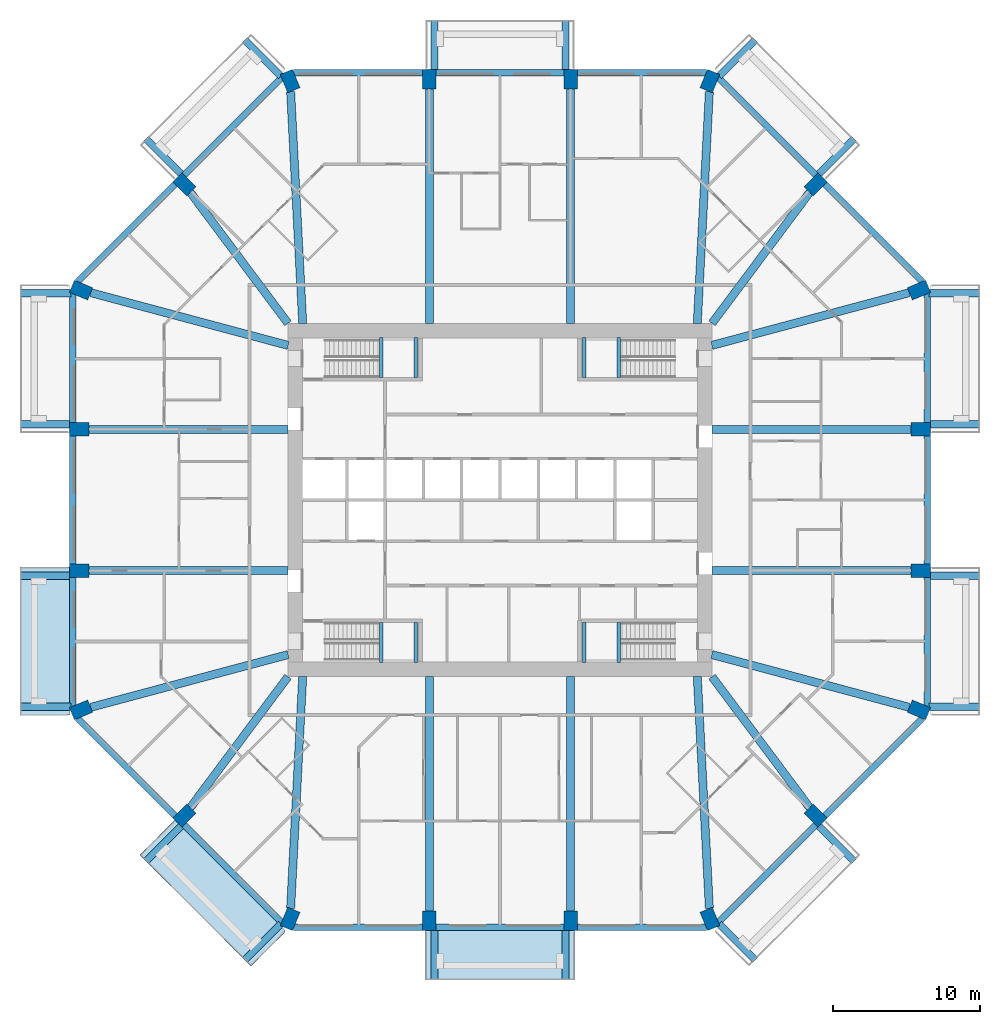
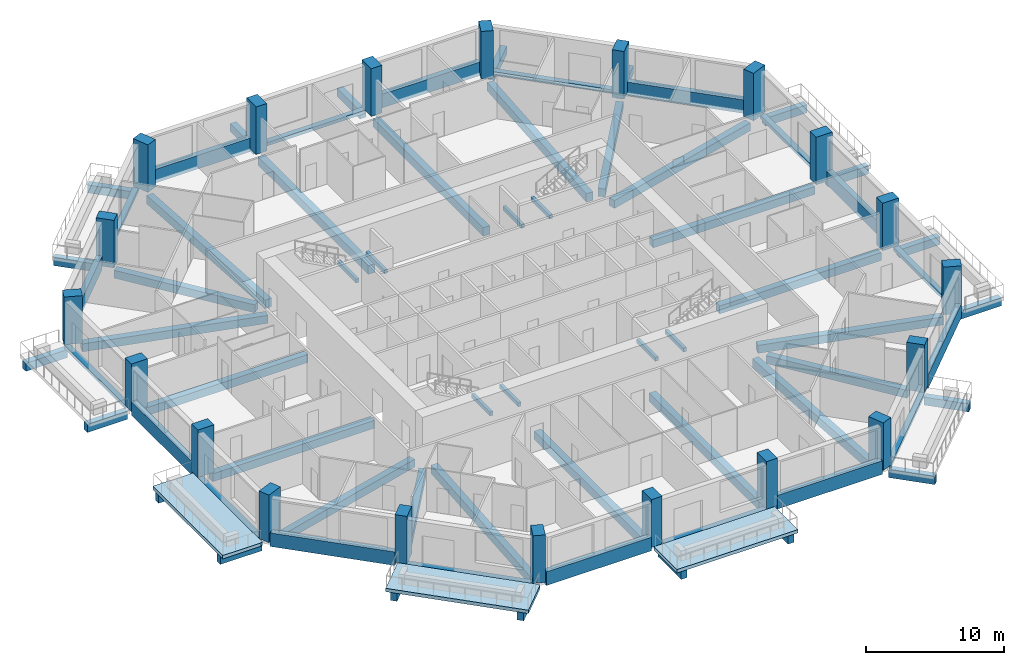
# One storey, part 1 of 13: 68 beams, 20 columns, 3 slabs.
"""IFC4 building model written with IfcOpenShell, lengths in metres."""

from ifc_helpers import new_model, si_unit, direction, frame, origin, origin_2d, place, context, subcontext, project, spatial, polyline, rectangle, outline, extrude, material, layer, layer_set, material_profile, profile_set, type_object, element, save


model = new_model("IFC4")

# Units and contexts
model_context = context("Model", 3, precision=1e-05, world=origin(), true_north=direction((0.0, 1.0)))
body_context = subcontext(model_context, "Body", "Model", "MODEL_VIEW")
ifc_project = project(units=[si_unit("LENGTHUNIT", "METRE"), si_unit("AREAUNIT", "SQUARE_METRE"), si_unit("VOLUMEUNIT", "CUBIC_METRE"), si_unit("PLANEANGLEUNIT", "RADIAN"), si_unit("MASSUNIT", "GRAM", prefix="KILO")], contexts=[model_context])

# Site, building, storey
site_placement = place(None, origin())
site = spatial("IfcSite", under=ifc_project, at=site_placement, CompositionType="ELEMENT")
building_placement = place(site_placement, origin())
building = spatial("IfcBuilding", under=site, at=building_placement, Name="Msitu Wima Residences", CompositionType="ELEMENT")
storey_placement = place(building_placement, frame((0.0, 0.0, 92.699951171875)))
storey = spatial("IfcBuildingStorey", under=building, at=storey_placement, Name="L21", CompositionType="ELEMENT", Elevation=92.699951171875)

# Columns
ifc_material_1 = material(Name="Concrete C80/95", Category="concrete")
ifc_material_profile_1 = material_profile(ifc_material_1, rectangle(XDim=0.89990234375, YDim=1.35009765625, at=origin_2d()), Name="RC 900x1350")
ifc_profile_set_1 = profile_set([ifc_material_profile_1], Name="Concrete C80/95")
column_type = type_object("IfcColumnType", Name="Column RC 900x1350 Concrete C80/95", PredefinedType="COLUMN", material=ifc_profile_set_1)
for number, where, z_axis, x_axis, name in (
    (1, (28.4541015625, -14.2568359375, 0.0), (0.0, 0.0, 1.0), (0.382683496864, 0.923879505795, 0.0), "Column L21 C-E0"),
    (2, (28.574951171875, -4.800048828125, 0.0), (0.0, 0.0, 1.0), (0.0, 1.0, 0.0), "Column L21 C-E1"),
    (3, (28.574951171875, 4.800048828125, 0.0), (0.0, 0.0, 1.0), (0.0, 1.0, 0.0), "Column L21 C-E2"),
    (4, (28.4541015625, 14.2568359375, 0.0), (0.0, 0.0, 1.0), (-0.382683496864, 0.923879505795, 0.0), "Column L21 C-NE0"),
    (5, (21.44091796875, 21.44091796875, 0.0), (0.0, 0.0, 1.0), (-0.707106781187, 0.707106781187, 0.0), "Column L21 C-NE1"),
    (6, (14.2568359375, 28.4541015625, 0.0), (0.0, 0.0, 1.0), (-0.923879505795, 0.382683496864, 0.0), "Column L21 C-N0"),
    (7, (4.800048828125, 28.574951171875, 0.0), (0.0, 0.0, 1.0), (-1.0, 0.0, 0.0), "Column L21 C-N1"),
    (8, (-4.800048828125, 28.574951171875, 0.0), (0.0, 0.0, 1.0), (-1.0, 0.0, 0.0), "Column L21 C-N2"),
    (9, (-14.2568359375, 28.4541015625, 0.0), (0.0, 0.0, 1.0), (-0.923879505795, -0.382683496864, 0.0), "Column L21 C-NW0"),
    (10, (-21.44091796875, 21.44091796875, 0.0), (0.0, 0.0, 1.0), (-0.707106781187, -0.707106781187, 0.0), "Column L21 C-NW1"),
    (11, (-28.4541015625, 14.2568359375, 0.0), (0.0, 0.0, 1.0), (-0.382683496864, -0.923879505795, 0.0), "Column L21 C-W0"),
    (12, (-28.574951171875, 4.800048828125, 0.0), (0.0, 0.0, 1.0), (0.0, -1.0, 0.0), "Column L21 C-W1"),
    (13, (-28.574951171875, -4.800048828125, 0.0), (0.0, 0.0, 1.0), (0.0, -1.0, 0.0), "Column L21 C-W2"),
    (14, (-28.4541015625, -14.2568359375, 0.0), (0.0, 0.0, 1.0), (0.382683496864, -0.923879505795, 0.0), "Column L21 C-SW0"),
    (15, (-21.44091796875, -21.44091796875, 0.0), (0.0, 0.0, 1.0), (0.707106781187, -0.707106781187, 0.0), "Column L21 C-SW1"),
    (16, (-14.2568359375, -28.4541015625, 0.0), (0.0, 0.0, 1.0), (0.923879505795, -0.382683496864, 0.0), "Column L21 C-S0"),
    (17, (-4.800048828125, -28.574951171875, 0.0), (0.0, 0.0, 1.0), (1.0, 0.0, 0.0), "Column L21 C-S1"),
    (18, (4.800048828125, -28.574951171875, 0.0), (0.0, 0.0, 1.0), (1.0, 0.0, 0.0), "Column L21 C-S2"),
    (19, (14.2568359375, -28.4541015625, 0.0), (0.0, 0.0, 1.0), (0.923879505795, 0.382683496864, 0.0), "Column L21 C-SE0"),
    (20, (21.44091796875, -21.44091796875, 0.0), (0.0, 0.0, 1.0), (0.707106781187, 0.707106781187, 0.0), "Column L21 C-SE1"),
):
    element("IfcColumn", number, at=place(storey_placement, frame(where, z_axis=z_axis, x_axis=x_axis)), inside=storey, type_object=column_type, Name=name, PredefinedType="COLUMN", context=body_context, shape_type="SweptSolid", body=[
        extrude(rectangle(XDim=0.89990234375, YDim=1.35009765625, at=origin_2d()), origin(), (0.0, 0.0, 1.0), 4.199951171875),
    ])

# Beams
ifc_material_2 = material(Name="Concrete C50/60", Category="concrete")
ifc_material_profile_2 = material_profile(ifc_material_2, rectangle(XDim=0.550048828125, YDim=0.699951171875, at=origin_2d()), Name="RC 550x700")
ifc_profile_set_2 = profile_set([ifc_material_profile_2], Name="Concrete C50/60")
beam_type_1 = type_object("IfcBeamType", Name="Beam RC 550x700 Concrete C50/60", PredefinedType="BEAM", material=ifc_profile_set_2)
beam_1_placement = place(storey_placement, frame((27.79638671875, -14.080810546875, -0.599853515625), z_axis=(-0.966081778408, 0.258236320891, 0.0), x_axis=(-0.258236320891, -0.966081778408, 0.0)))
element("IfcBeam", 21, at=beam_1_placement, inside=storey, type_object=beam_type_1, Name="Beam L21 C-E0", PredefinedType="BEAM", context=body_context, shape_type="SweptSolid", body=[
    extrude(rectangle(XDim=0.550048828125, YDim=0.699951171875, at=origin_2d()), origin(), (0.0, 0.0, 1.0), 13.878662109375),
])
for number, where, z_axis, x_axis, name in (
    (22, (27.89990234375, -4.800048828125, -0.599853515625), (-1.0, 0.0, 0.0), (0.0, -1.0, 0.0), "Beam L21 C-E1"),
    (23, (27.89990234375, 4.800048828125, -0.599853515625), (-1.0, 0.0, 0.0), (0.0, -1.0, 0.0), "Beam L21 C-E2"),
):
    element("IfcBeam", number, at=place(storey_placement, frame(where, z_axis=z_axis, x_axis=x_axis)), inside=storey, type_object=beam_type_1, Name=name, PredefinedType="BEAM", context=body_context, shape_type="SweptSolid", body=[
        extrude(rectangle(XDim=0.550048828125, YDim=0.699951171875, at=origin_2d()), origin(), (0.0, 0.0, 1.0), 13.5),
    ])
beam_2_placement = place(storey_placement, frame((27.79638671875, 14.080810546875, -0.599853515625), z_axis=(-0.966081778408, -0.258236320891, 0.0), x_axis=(0.258236320891, -0.966081778408, 0.0)))
element("IfcBeam", 24, at=beam_2_placement, inside=storey, type_object=beam_type_1, Name="Beam L21 C-NE0", PredefinedType="BEAM", context=body_context, shape_type="SweptSolid", body=[
    extrude(rectangle(XDim=0.550048828125, YDim=0.699951171875, at=origin_2d()), origin(), (0.0, 0.0, 1.0), 13.878662109375),
])
for number, where, z_axis, x_axis, name in (
    (25, (21.033203125, 20.89404296875, -0.599853515625), (-0.597850242031, -0.801607814398, 0.0), (0.801607814398, -0.597850242031, 0.0), "Beam L21 C-NE1"),
    (26, (-21.033203125, 20.89404296875, -0.599853515625), (0.597850242031, -0.801607814398, 0.0), (0.801607814398, 0.597850242031, 0.0), "Beam L21 C-NW1"),
):
    element("IfcBeam", number, at=place(storey_placement, frame(where, z_axis=z_axis, x_axis=x_axis)), inside=storey, type_object=beam_type_1, Name=name, PredefinedType="BEAM", context=body_context, shape_type="SweptSolid", body=[
        extrude(rectangle(XDim=0.550048828125, YDim=0.699951171875, at=origin_2d()), origin(), (0.0, 0.0, 1.0), 11.09521484375),
    ])
beam_3_placement = place(storey_placement, frame((-27.79638671875, 14.080810546875, -0.599853515625), z_axis=(0.966081778408, -0.258236320891, 0.0), x_axis=(0.258236320891, 0.966081778408, 0.0)))
element("IfcBeam", 27, at=beam_3_placement, inside=storey, type_object=beam_type_1, Name="Beam L21 C-W0", PredefinedType="BEAM", context=body_context, shape_type="SweptSolid", body=[
    extrude(rectangle(XDim=0.550048828125, YDim=0.699951171875, at=origin_2d()), origin(), (0.0, 0.0, 1.0), 13.878662109375),
])
for number, where, z_axis, x_axis, name in (
    (28, (-27.89990234375, 4.800048828125, -0.599853515625), (1.0, 0.0, 0.0), (0.0, 1.0, 0.0), "Beam L21 C-W1"),
    (29, (-27.89990234375, -4.800048828125, -0.599853515625), (1.0, 0.0, 0.0), (0.0, 1.0, 0.0), "Beam L21 C-W2"),
):
    element("IfcBeam", number, at=place(storey_placement, frame(where, z_axis=z_axis, x_axis=x_axis)), inside=storey, type_object=beam_type_1, Name=name, PredefinedType="BEAM", context=body_context, shape_type="SweptSolid", body=[
        extrude(rectangle(XDim=0.550048828125, YDim=0.699951171875, at=origin_2d()), origin(), (0.0, 0.0, 1.0), 13.5),
    ])
beam_4_placement = place(storey_placement, frame((-27.79638671875, -14.080810546875, -0.599853515625), z_axis=(0.966081778408, 0.258236320891, 0.0), x_axis=(-0.258236320891, 0.966081778408, 0.0)))
element("IfcBeam", 30, at=beam_4_placement, inside=storey, type_object=beam_type_1, Name="Beam L21 C-SW0", PredefinedType="BEAM", context=body_context, shape_type="SweptSolid", body=[
    extrude(rectangle(XDim=0.550048828125, YDim=0.699951171875, at=origin_2d()), origin(), (0.0, 0.0, 1.0), 13.878662109375),
])
for number, where, z_axis, x_axis, name in (
    (31, (-21.033203125, -20.89404296875, -0.599853515625), (0.597850242031, 0.801607814398, 0.0), (-0.801607814398, 0.597850242031, 0.0), "Beam L21 C-SW1"),
    (32, (21.033203125, -20.89404296875, -0.599853515625), (-0.597850242031, 0.801607814398, 0.0), (-0.801607814398, -0.597850242031, 0.0), "Beam L21 C-SE1"),
):
    element("IfcBeam", number, at=place(storey_placement, frame(where, z_axis=z_axis, x_axis=x_axis)), inside=storey, type_object=beam_type_1, Name=name, PredefinedType="BEAM", context=body_context, shape_type="SweptSolid", body=[
        extrude(rectangle(XDim=0.550048828125, YDim=0.699951171875, at=origin_2d()), origin(), (0.0, 0.0, 1.0), 11.09521484375),
    ])
ifc_material_profile_3 = material_profile(ifc_material_2, rectangle(XDim=0.550048828125, YDim=0.75, at=origin_2d()), Name="RC 550x750")
ifc_profile_set_3 = profile_set([ifc_material_profile_3], Name="Concrete C50/60")
beam_type_2 = type_object("IfcBeamType", Name="Beam RC 550x750 Concrete C50/60", PredefinedType="BEAM", material=ifc_profile_set_3)
beam_5_placement = place(storey_placement, frame((14.219482421875, 27.739013671875, -0.625), z_axis=(-0.05199418091, -0.998647387796, 0.0), x_axis=(0.998647387796, -0.05199418091, 0.0)))
element("IfcBeam", 33, at=beam_5_placement, inside=storey, type_object=beam_type_2, Name="Beam L21 C-N0", PredefinedType="BEAM", context=body_context, shape_type="SweptSolid", body=[
    extrude(rectangle(XDim=0.550048828125, YDim=0.75, at=origin_2d()), origin(), (0.0, 0.0, 1.0), 15.772216796875),
])
for number, where, z_axis, x_axis, name in (
    (34, (4.800048828125, 27.89990234375, -0.625), (0.0, -1.0, 0.0), (1.0, 0.0, 0.0), "Beam L21 C-N1"),
    (35, (-4.800048828125, 27.89990234375, -0.625), (0.0, -1.0, 0.0), (1.0, 0.0, 0.0), "Beam L21 C-N2"),
):
    element("IfcBeam", number, at=place(storey_placement, frame(where, z_axis=z_axis, x_axis=x_axis)), inside=storey, type_object=beam_type_2, Name=name, PredefinedType="BEAM", context=body_context, shape_type="SweptSolid", body=[
        extrude(rectangle(XDim=0.550048828125, YDim=0.75, at=origin_2d()), origin(), (0.0, 0.0, 1.0), 15.89990234375),
    ])
for number, where, z_axis, x_axis, name in (
    (36, (-14.219482421875, 27.739013671875, -0.625), (0.05199418091, -0.998647387796, 0.0), (0.998647387796, 0.05199418091, 0.0), "Beam L21 C-NW0"),
    (37, (-14.219482421875, -27.739013671875, -0.625), (0.05199418091, 0.998647387796, 0.0), (-0.998647387796, 0.05199418091, 0.0), "Beam L21 C-S0"),
):
    element("IfcBeam", number, at=place(storey_placement, frame(where, z_axis=z_axis, x_axis=x_axis)), inside=storey, type_object=beam_type_2, Name=name, PredefinedType="BEAM", context=body_context, shape_type="SweptSolid", body=[
        extrude(rectangle(XDim=0.550048828125, YDim=0.75, at=origin_2d()), origin(), (0.0, 0.0, 1.0), 15.772216796875),
    ])
for number, where, z_axis, x_axis, name in (
    (38, (-4.800048828125, -27.89990234375, -0.625), (0.0, 1.0, 0.0), (-1.0, 0.0, 0.0), "Beam L21 C-S1"),
    (39, (4.800048828125, -27.89990234375, -0.625), (0.0, 1.0, 0.0), (-1.0, 0.0, 0.0), "Beam L21 C-S2"),
):
    element("IfcBeam", number, at=place(storey_placement, frame(where, z_axis=z_axis, x_axis=x_axis)), inside=storey, type_object=beam_type_2, Name=name, PredefinedType="BEAM", context=body_context, shape_type="SweptSolid", body=[
        extrude(rectangle(XDim=0.550048828125, YDim=0.75, at=origin_2d()), origin(), (0.0, 0.0, 1.0), 15.89990234375),
    ])
beam_6_placement = place(storey_placement, frame((14.219482421875, -27.739013671875, -0.625), z_axis=(-0.05199418091, 0.998647387796, 0.0), x_axis=(-0.998647387796, -0.05199418091, 0.0)))
element("IfcBeam", 40, at=beam_6_placement, inside=storey, type_object=beam_type_2, Name="Beam L21 C-SE0", PredefinedType="BEAM", context=body_context, shape_type="SweptSolid", body=[
    extrude(rectangle(XDim=0.550048828125, YDim=0.75, at=origin_2d()), origin(), (0.0, 0.0, 1.0), 15.772216796875),
])
ifc_material_profile_4 = material_profile(ifc_material_2, rectangle(XDim=0.5, YDim=0.699951171875, at=origin_2d()), Name="RC 500x700")
ifc_profile_set_4 = profile_set([ifc_material_profile_4], Name="Concrete C50/60")
beam_type_3 = type_object("IfcBeamType", Name="Cantilever beam RC 500x700 Concrete C50/60", PredefinedType="BEAM", material=ifc_profile_set_4)
beam_7_placement = place(storey_placement, frame((29.130859375, -14.050048828125, -0.64990234375), z_axis=(1.0, 0.0, 0.0), x_axis=(0.0, 1.0, 0.0)))
element("IfcBeam", 41, at=beam_7_placement, inside=storey, type_object=beam_type_3, Name="Cantilever beam L21 BA-E0 A", PredefinedType="BEAM", context=body_context, shape_type="SweptSolid", body=[
    extrude(rectangle(XDim=0.5, YDim=0.699951171875, at=origin_2d()), origin(), (0.0, 0.0, 1.0), 3.46923828125),
])
for number, where, z_axis, x_axis, name in (
    (42, (29.25, -5.14990234375, -0.64990234375), (1.0, 0.0, 0.0), (0.0, 1.0, 0.0), "Cantilever beam L21 BA-E0 B"),
    (43, (29.25, 5.14990234375, -0.64990234375), (1.0, 0.0, 0.0), (0.0, 1.0, 0.0), "Cantilever beam L21 BA-E2 A"),
):
    element("IfcBeam", number, at=place(storey_placement, frame(where, z_axis=z_axis, x_axis=x_axis)), inside=storey, type_object=beam_type_3, Name=name, PredefinedType="BEAM", context=body_context, shape_type="SweptSolid", body=[
        extrude(rectangle(XDim=0.5, YDim=0.699951171875, at=origin_2d()), origin(), (0.0, 0.0, 1.0), 3.35009765625),
    ])
beam_8_placement = place(storey_placement, frame((29.130859375, 14.050048828125, -0.64990234375), z_axis=(1.0, 0.0, 0.0), x_axis=(0.0, 1.0, 0.0)))
element("IfcBeam", 44, at=beam_8_placement, inside=storey, type_object=beam_type_3, Name="Cantilever beam L21 BA-E2 B", PredefinedType="BEAM", context=body_context, shape_type="SweptSolid", body=[
    extrude(rectangle(XDim=0.5, YDim=0.699951171875, at=origin_2d()), origin(), (0.0, 0.0, 1.0), 3.46923828125),
])
beam_9_placement = place(storey_placement, frame((21.670654296875, 22.165771484375, -0.64990234375), z_axis=(0.707143219659, 0.707070340836, 0.0), x_axis=(-0.707070340836, 0.707143219659, 0.0)))
element("IfcBeam", 45, at=beam_9_placement, inside=storey, type_object=beam_type_3, Name="Cantilever beam L21 BA-NE1 A", PredefinedType="BEAM", context=body_context, shape_type="SweptSolid", body=[
    extrude(rectangle(XDim=0.5, YDim=0.699951171875, at=origin_2d()), origin(), (0.0, 0.0, 1.0), 3.349853515625),
])
beam_10_placement = place(storey_placement, frame((14.881591796875, 28.78662109375, -0.64990234375), z_axis=(0.707106781187, 0.707106781187, 0.0), x_axis=(-0.707106781187, 0.707106781187, 0.0)))
element("IfcBeam", 46, at=beam_10_placement, inside=storey, type_object=beam_type_3, Name="Cantilever beam L21 BA-NE1 B", PredefinedType="BEAM", context=body_context, shape_type="SweptSolid", body=[
    extrude(rectangle(XDim=0.5, YDim=0.699951171875, at=origin_2d()), origin(), (0.0, 0.0, 1.0), 3.468994140625),
])
for number, where, z_axis, x_axis, name in (
    (47, (4.449951171875, 29.25, -0.64990234375), (0.0, 1.0, 0.0), (-1.0, 0.0, 0.0), "Cantilever beam L21 BA-N1 A"),
    (48, (-4.449951171875, 29.25, -0.64990234375), (0.0, 1.0, 0.0), (-1.0, 0.0, 0.0), "Cantilever beam L21 BA-N1 B"),
):
    element("IfcBeam", number, at=place(storey_placement, frame(where, z_axis=z_axis, x_axis=x_axis)), inside=storey, type_object=beam_type_3, Name=name, PredefinedType="BEAM", context=body_context, shape_type="SweptSolid", body=[
        extrude(rectangle(XDim=0.5, YDim=0.699951171875, at=origin_2d()), origin(), (0.0, 0.0, 1.0), 3.35009765625),
    ])
beam_11_placement = place(storey_placement, frame((-14.881591796875, 28.78662109375, -0.64990234375), z_axis=(-0.707106781187, 0.707106781187, 0.0), x_axis=(-0.707106781187, -0.707106781187, 0.0)))
element("IfcBeam", 49, at=beam_11_placement, inside=storey, type_object=beam_type_3, Name="Cantilever beam L21 BA-NW0 A", PredefinedType="BEAM", context=body_context, shape_type="SweptSolid", body=[
    extrude(rectangle(XDim=0.5, YDim=0.699951171875, at=origin_2d()), origin(), (0.0, 0.0, 1.0), 3.468994140625),
])
beam_12_placement = place(storey_placement, frame((-21.670654296875, 22.165771484375, -0.64990234375), z_axis=(-0.707143219659, 0.707070340836, 0.0), x_axis=(-0.707070340836, -0.707143219659, 0.0)))
element("IfcBeam", 50, at=beam_12_placement, inside=storey, type_object=beam_type_3, Name="Cantilever beam L21 BA-NW0 B", PredefinedType="BEAM", context=body_context, shape_type="SweptSolid", body=[
    extrude(rectangle(XDim=0.5, YDim=0.699951171875, at=origin_2d()), origin(), (0.0, 0.0, 1.0), 3.349853515625),
])
beam_13_placement = place(storey_placement, frame((-29.130859375, 14.050048828125, -0.64990234375), z_axis=(-1.0, 0.0, 0.0), x_axis=(0.0, -1.0, 0.0)))
element("IfcBeam", 51, at=beam_13_placement, inside=storey, type_object=beam_type_3, Name="Cantilever beam L21 BA-W0 A", PredefinedType="BEAM", context=body_context, shape_type="SweptSolid", body=[
    extrude(rectangle(XDim=0.5, YDim=0.699951171875, at=origin_2d()), origin(), (0.0, 0.0, 1.0), 3.46923828125),
])
for number, where, z_axis, x_axis, name in (
    (52, (-29.25, 5.14990234375, -0.64990234375), (-1.0, 0.0, 0.0), (0.0, -1.0, 0.0), "Cantilever beam L21 BA-W0 B"),
    (53, (-29.25, -5.14990234375, -0.64990234375), (-1.0, 0.0, 0.0), (0.0, -1.0, 0.0), "Cantilever beam L21 BA-W2 A"),
):
    element("IfcBeam", number, at=place(storey_placement, frame(where, z_axis=z_axis, x_axis=x_axis)), inside=storey, type_object=beam_type_3, Name=name, PredefinedType="BEAM", context=body_context, shape_type="SweptSolid", body=[
        extrude(rectangle(XDim=0.5, YDim=0.699951171875, at=origin_2d()), origin(), (0.0, 0.0, 1.0), 3.35009765625),
    ])
beam_14_placement = place(storey_placement, frame((-29.130859375, -14.050048828125, -0.64990234375), z_axis=(-1.0, 0.0, 0.0), x_axis=(0.0, -1.0, 0.0)))
element("IfcBeam", 54, at=beam_14_placement, inside=storey, type_object=beam_type_3, Name="Cantilever beam L21 BA-W2 B", PredefinedType="BEAM", context=body_context, shape_type="SweptSolid", body=[
    extrude(rectangle(XDim=0.5, YDim=0.699951171875, at=origin_2d()), origin(), (0.0, 0.0, 1.0), 3.46923828125),
])
beam_15_placement = place(storey_placement, frame((-21.670654296875, -22.165771484375, -0.64990234375), z_axis=(-0.707143219659, -0.707070340836, 0.0), x_axis=(0.707070340836, -0.707143219659, 0.0)))
element("IfcBeam", 55, at=beam_15_placement, inside=storey, type_object=beam_type_3, Name="Cantilever beam L21 BA-SW1 A", PredefinedType="BEAM", context=body_context, shape_type="SweptSolid", body=[
    extrude(rectangle(XDim=0.5, YDim=0.699951171875, at=origin_2d()), origin(), (0.0, 0.0, 1.0), 3.349853515625),
])
beam_16_placement = place(storey_placement, frame((-14.881591796875, -28.78662109375, -0.64990234375), z_axis=(-0.707106781187, -0.707106781187, 0.0), x_axis=(0.707106781187, -0.707106781187, 0.0)))
element("IfcBeam", 56, at=beam_16_placement, inside=storey, type_object=beam_type_3, Name="Cantilever beam L21 BA-SW1 B", PredefinedType="BEAM", context=body_context, shape_type="SweptSolid", body=[
    extrude(rectangle(XDim=0.5, YDim=0.699951171875, at=origin_2d()), origin(), (0.0, 0.0, 1.0), 3.468994140625),
])
for number, where, z_axis, x_axis, name in (
    (57, (-4.449951171875, -29.25, -0.64990234375), (0.0, -1.0, 0.0), (1.0, 0.0, 0.0), "Cantilever beam L21 BA-S1 A"),
    (58, (4.449951171875, -29.25, -0.64990234375), (0.0, -1.0, 0.0), (1.0, 0.0, 0.0), "Cantilever beam L21 BA-S1 B"),
):
    element("IfcBeam", number, at=place(storey_placement, frame(where, z_axis=z_axis, x_axis=x_axis)), inside=storey, type_object=beam_type_3, Name=name, PredefinedType="BEAM", context=body_context, shape_type="SweptSolid", body=[
        extrude(rectangle(XDim=0.5, YDim=0.699951171875, at=origin_2d()), origin(), (0.0, 0.0, 1.0), 3.35009765625),
    ])
beam_17_placement = place(storey_placement, frame((14.881591796875, -28.78662109375, -0.64990234375), z_axis=(0.707106781187, -0.707106781187, 0.0), x_axis=(0.707106781187, 0.707106781187, 0.0)))
element("IfcBeam", 59, at=beam_17_placement, inside=storey, type_object=beam_type_3, Name="Cantilever beam L21 BA-SE0 A", PredefinedType="BEAM", context=body_context, shape_type="SweptSolid", body=[
    extrude(rectangle(XDim=0.5, YDim=0.699951171875, at=origin_2d()), origin(), (0.0, 0.0, 1.0), 3.468994140625),
])
beam_18_placement = place(storey_placement, frame((21.670654296875, -22.165771484375, -0.64990234375), z_axis=(0.707143219659, -0.707070340836, 0.0), x_axis=(0.707070340836, 0.707143219659, 0.0)))
element("IfcBeam", 60, at=beam_18_placement, inside=storey, type_object=beam_type_3, Name="Cantilever beam L21 BA-SE0 B", PredefinedType="BEAM", context=body_context, shape_type="SweptSolid", body=[
    extrude(rectangle(XDim=0.5, YDim=0.699951171875, at=origin_2d()), origin(), (0.0, 0.0, 1.0), 3.349853515625),
])
ifc_material_profile_5 = material_profile(ifc_material_2, rectangle(XDim=0.449951171875, YDim=0.300048828125, at=origin_2d()), Name="RC 450x300")
ifc_profile_set_5 = profile_set([ifc_material_profile_5], Name="Concrete C50/60")
beam_type_4 = type_object("IfcBeamType", Name="Edge beam RC 450x300 Concrete C50/60", PredefinedType="SPANDREL", material=ifc_profile_set_5)
for number, where, z_axis, x_axis, name in (
    (61, (29.02490234375, -14.01806640625, -0.14990234375), (0.0, 1.0, 0.0), (-1.0, 0.0, 0.0), "Spandrel L21 E0"),
    (62, (29.02490234375, 5.25, -0.14990234375), (0.0, 1.0, 0.0), (-1.0, 0.0, 0.0), "Spandrel L21 E2"),
):
    element("IfcBeam", number, at=place(storey_placement, frame(where, z_axis=z_axis, x_axis=x_axis)), inside=storey, type_object=beam_type_4, Name=name, PredefinedType="SPANDREL", context=body_context, shape_type="SweptSolid", body=[
        extrude(rectangle(XDim=0.449951171875, YDim=0.300048828125, at=origin_2d()), origin(), (0.0, 0.0, 1.0), 8.76806640625),
    ])
beam_19_placement = place(storey_placement, frame((21.44091796875, 22.077392578125, -0.14990234375), z_axis=(-0.707119836229, 0.707093725903, 0.0), x_axis=(-0.707093725903, -0.707119836229, 0.0)))
element("IfcBeam", 63, at=beam_19_placement, inside=storey, type_object=beam_type_4, Name="Spandrel L21 NE1", PredefinedType="SPANDREL", context=body_context, shape_type="SweptSolid", body=[
    extrude(rectangle(XDim=0.449951171875, YDim=0.300048828125, at=origin_2d()), origin(), (0.0, 0.0, 1.0), 9.350341796875),
])
beam_20_placement = place(storey_placement, frame((4.35009765625, 29.02490234375, -0.14990234375), z_axis=(-1.0, 0.0, 0.0), x_axis=(0.0, -1.0, 0.0)))
element("IfcBeam", 64, at=beam_20_placement, inside=storey, type_object=beam_type_4, Name="Spandrel L21 N1", PredefinedType="SPANDREL", context=body_context, shape_type="SweptSolid", body=[
    extrude(rectangle(XDim=0.449951171875, YDim=0.300048828125, at=origin_2d()), origin(), (0.0, 0.0, 1.0), 8.7001953125),
])
beam_21_placement = place(storey_placement, frame((-14.8291015625, 28.68896484375, -0.14990234375), z_axis=(-0.707119836229, -0.707093725903, 0.0), x_axis=(0.707093725903, -0.707119836229, 0.0)))
element("IfcBeam", 65, at=beam_21_placement, inside=storey, type_object=beam_type_4, Name="Spandrel L21 NW0", PredefinedType="SPANDREL", context=body_context, shape_type="SweptSolid", body=[
    extrude(rectangle(XDim=0.449951171875, YDim=0.300048828125, at=origin_2d()), origin(), (0.0, 0.0, 1.0), 9.350341796875),
])
for number, where, z_axis, x_axis, name in (
    (66, (-29.02490234375, 14.01806640625, -0.14990234375), (0.0, -1.0, 0.0), (1.0, 0.0, 0.0), "Spandrel L21 W0"),
    (67, (-29.02490234375, -5.25, -0.14990234375), (0.0, -1.0, 0.0), (1.0, 0.0, 0.0), "Spandrel L21 W2"),
):
    element("IfcBeam", number, at=place(storey_placement, frame(where, z_axis=z_axis, x_axis=x_axis)), inside=storey, type_object=beam_type_4, Name=name, PredefinedType="SPANDREL", context=body_context, shape_type="SweptSolid", body=[
        extrude(rectangle(XDim=0.449951171875, YDim=0.300048828125, at=origin_2d()), origin(), (0.0, 0.0, 1.0), 8.76806640625),
    ])
beam_22_placement = place(storey_placement, frame((-21.44091796875, -22.077392578125, -0.14990234375), z_axis=(0.707119836229, -0.707093725903, 0.0), x_axis=(0.707093725903, 0.707119836229, 0.0)))
element("IfcBeam", 68, at=beam_22_placement, inside=storey, type_object=beam_type_4, Name="Spandrel L21 SW1", PredefinedType="SPANDREL", context=body_context, shape_type="SweptSolid", body=[
    extrude(rectangle(XDim=0.449951171875, YDim=0.300048828125, at=origin_2d()), origin(), (0.0, 0.0, 1.0), 9.350341796875),
])
beam_23_placement = place(storey_placement, frame((-4.35009765625, -29.02490234375, -0.14990234375), z_axis=(1.0, 0.0, 0.0), x_axis=(0.0, 1.0, 0.0)))
element("IfcBeam", 69, at=beam_23_placement, inside=storey, type_object=beam_type_4, Name="Spandrel L21 S1", PredefinedType="SPANDREL", context=body_context, shape_type="SweptSolid", body=[
    extrude(rectangle(XDim=0.449951171875, YDim=0.300048828125, at=origin_2d()), origin(), (0.0, 0.0, 1.0), 8.7001953125),
])
beam_24_placement = place(storey_placement, frame((14.8291015625, -28.68896484375, -0.14990234375), z_axis=(0.707119836229, 0.707093725903, 0.0), x_axis=(-0.707093725903, 0.707119836229, 0.0)))
element("IfcBeam", 70, at=beam_24_placement, inside=storey, type_object=beam_type_4, Name="Spandrel L21 SE0", PredefinedType="SPANDREL", context=body_context, shape_type="SweptSolid", body=[
    extrude(rectangle(XDim=0.449951171875, YDim=0.300048828125, at=origin_2d()), origin(), (0.0, 0.0, 1.0), 9.350341796875),
])
ifc_material_3 = material(Name="Concrete C40/50", Category="concrete")
ifc_material_profile_6 = material_profile(ifc_material_3, rectangle(XDim=0.25, YDim=0.35009765625, at=origin_2d()), Name="RC 250x350")
ifc_profile_set_6 = profile_set([ifc_material_profile_6], Name="Concrete C40/50")
beam_type_5 = type_object("IfcBeamType", Name="Landing beam RC 250x350", PredefinedType="BEAM", material=ifc_profile_set_6)
for number, where, z_axis, x_axis, name in (
    (71, (-8.074951171875, 8.324951171875, 1.72509765625), (0.0, 1.0, 0.0), (-1.0, 0.0, 0.0), "Stair 1 landing beam"),
    (72, (-5.72509765625, 8.324951171875, 1.72509765625), (0.0, 1.0, 0.0), (-1.0, 0.0, 0.0), "Stair 1 landing beam"),
    (73, (-8.074951171875, -11.02490234375, 1.72509765625), (0.0, 1.0, 0.0), (-1.0, 0.0, 0.0), "Stair 2 landing beam"),
    (74, (-5.72509765625, -11.02490234375, 1.72509765625), (0.0, 1.0, 0.0), (-1.0, 0.0, 0.0), "Stair 2 landing beam"),
    (75, (8.074951171875, 8.324951171875, 1.72509765625), (0.0, 1.0, 0.0), (-1.0, 0.0, 0.0), "Stair 3 landing beam"),
    (76, (5.72509765625, 8.324951171875, 1.72509765625), (0.0, 1.0, 0.0), (-1.0, 0.0, 0.0), "Stair 3 landing beam"),
    (77, (8.074951171875, -11.02490234375, 1.72509765625), (0.0, 1.0, 0.0), (-1.0, 0.0, 0.0), "Stair 4 landing beam"),
    (78, (5.72509765625, -11.02490234375, 1.72509765625), (0.0, 1.0, 0.0), (-1.0, 0.0, 0.0), "Stair 4 landing beam"),
):
    element("IfcBeam", number, at=place(storey_placement, frame(where, z_axis=z_axis, x_axis=x_axis)), inside=storey, type_object=beam_type_5, Name=name, PredefinedType="BEAM", context=body_context, shape_type="SweptSolid", body=[
        extrude(rectangle(XDim=0.25, YDim=0.35009765625, at=origin_2d()), origin(), (0.0, 0.0, 1.0), 2.699951171875),
    ])
ifc_material_profile_7 = material_profile(ifc_material_2, rectangle(XDim=0.449951171875, YDim=1.199951171875, at=origin_2d()), Name="RC 450x1200")
ifc_profile_set_7 = profile_set([ifc_material_profile_7], Name="Concrete C50/60")
beam_type_6 = type_object("IfcBeamType", Name="Spandrel RC 450x1200 Concrete C50/60", PredefinedType="SPANDREL", material=ifc_profile_set_7)
beam_25_placement = place(storey_placement, frame((29.02490234375, -4.35009765625, 0.300048828125), z_axis=(0.0, 1.0, 0.0), x_axis=(-1.0, 0.0, 0.0)))
element("IfcBeam", 79, at=beam_25_placement, inside=storey, type_object=beam_type_6, Name="Spandrel L21 E1", PredefinedType="SPANDREL", context=body_context, shape_type="SweptSolid", body=[
    extrude(rectangle(XDim=0.449951171875, YDim=1.199951171875, at=origin_2d()), origin(), (0.0, 0.0, 1.0), 8.7001953125),
])
beam_26_placement = place(storey_placement, frame((28.68896484375, 14.8291015625, 0.300048828125), z_axis=(-0.707093725903, 0.707119836229, 0.0), x_axis=(-0.707119836229, -0.707093725903, 0.0)))
element("IfcBeam", 80, at=beam_26_placement, inside=storey, type_object=beam_type_6, Name="Spandrel L21 NE0", PredefinedType="SPANDREL", context=body_context, shape_type="SweptSolid", body=[
    extrude(rectangle(XDim=0.449951171875, YDim=1.199951171875, at=origin_2d()), origin(), (0.0, 0.0, 1.0), 9.350341796875),
])
for number, where, z_axis, x_axis, name in (
    (81, (14.01806640625, 29.02490234375, 0.300048828125), (-1.0, 0.0, 0.0), (0.0, -1.0, 0.0), "Spandrel L21 N0"),
    (82, (-5.25, 29.02490234375, 0.300048828125), (-1.0, 0.0, 0.0), (0.0, -1.0, 0.0), "Spandrel L21 N2"),
):
    element("IfcBeam", number, at=place(storey_placement, frame(where, z_axis=z_axis, x_axis=x_axis)), inside=storey, type_object=beam_type_6, Name=name, PredefinedType="SPANDREL", context=body_context, shape_type="SweptSolid", body=[
        extrude(rectangle(XDim=0.449951171875, YDim=1.199951171875, at=origin_2d()), origin(), (0.0, 0.0, 1.0), 8.76806640625),
    ])
beam_27_placement = place(storey_placement, frame((-22.077392578125, 21.44091796875, 0.300048828125), z_axis=(-0.707093725903, -0.707119836229, 0.0), x_axis=(0.707119836229, -0.707093725903, 0.0)))
element("IfcBeam", 83, at=beam_27_placement, inside=storey, type_object=beam_type_6, Name="Spandrel L21 NW1", PredefinedType="SPANDREL", context=body_context, shape_type="SweptSolid", body=[
    extrude(rectangle(XDim=0.449951171875, YDim=1.199951171875, at=origin_2d()), origin(), (0.0, 0.0, 1.0), 9.350341796875),
])
beam_28_placement = place(storey_placement, frame((-29.02490234375, 4.35009765625, 0.300048828125), z_axis=(0.0, -1.0, 0.0), x_axis=(1.0, 0.0, 0.0)))
element("IfcBeam", 84, at=beam_28_placement, inside=storey, type_object=beam_type_6, Name="Spandrel L21 W1", PredefinedType="SPANDREL", context=body_context, shape_type="SweptSolid", body=[
    extrude(rectangle(XDim=0.449951171875, YDim=1.199951171875, at=origin_2d()), origin(), (0.0, 0.0, 1.0), 8.7001953125),
])
beam_29_placement = place(storey_placement, frame((-28.68896484375, -14.8291015625, 0.300048828125), z_axis=(0.707093725903, -0.707119836229, 0.0), x_axis=(0.707119836229, 0.707093725903, 0.0)))
element("IfcBeam", 85, at=beam_29_placement, inside=storey, type_object=beam_type_6, Name="Spandrel L21 SW0", PredefinedType="SPANDREL", context=body_context, shape_type="SweptSolid", body=[
    extrude(rectangle(XDim=0.449951171875, YDim=1.199951171875, at=origin_2d()), origin(), (0.0, 0.0, 1.0), 9.350341796875),
])
for number, where, z_axis, x_axis, name in (
    (86, (-14.01806640625, -29.02490234375, 0.300048828125), (1.0, 0.0, 0.0), (0.0, 1.0, 0.0), "Spandrel L21 S0"),
    (87, (5.25, -29.02490234375, 0.300048828125), (1.0, 0.0, 0.0), (0.0, 1.0, 0.0), "Spandrel L21 S2"),
):
    element("IfcBeam", number, at=place(storey_placement, frame(where, z_axis=z_axis, x_axis=x_axis)), inside=storey, type_object=beam_type_6, Name=name, PredefinedType="SPANDREL", context=body_context, shape_type="SweptSolid", body=[
        extrude(rectangle(XDim=0.449951171875, YDim=1.199951171875, at=origin_2d()), origin(), (0.0, 0.0, 1.0), 8.76806640625),
    ])
beam_30_placement = place(storey_placement, frame((22.077392578125, -21.44091796875, 0.300048828125), z_axis=(0.707093725903, 0.707119836229, 0.0), x_axis=(-0.707119836229, 0.707093725903, 0.0)))
element("IfcBeam", 88, at=beam_30_placement, inside=storey, type_object=beam_type_6, Name="Spandrel L21 SE1", PredefinedType="SPANDREL", context=body_context, shape_type="SweptSolid", body=[
    extrude(rectangle(XDim=0.449951171875, YDim=1.199951171875, at=origin_2d()), origin(), (0.0, 0.0, 1.0), 9.350341796875),
])

# Slabs
ifc_layer = layer(ifc_material_3, 0.300048828125)
ifc_layer_set = layer_set([ifc_layer], Name="Concrete C40/50")
slab_type = type_object("IfcSlabType", Name="Balcony slab BS300", PredefinedType="FLOOR", material=ifc_layer_set)
slab_1_placement = place(storey_placement, frame((0.0, 0.0, -0.300048828125)))
element("IfcSlab", 89, at=slab_1_placement, inside=storey, type_object=slab_type, Name="Balcony W2 L21", PredefinedType="FLOOR", context=body_context, shape_type="SweptSolid", body=[
    extrude(outline(polyline([(-29.25, -14.099365234375), (-29.25, -14.099365234375), (-29.25, -14.099365234375), (-29.25, -14.58642578125), (-29.403564453125, -14.64990234375), (-32.60009765625, -14.64990234375), (-32.60009765625, -4.550048828125), (-29.25, -4.550048828125), (-29.25, -5.25), (-29.25, -14.099365234375)])), origin(), (0.0, 0.0, 1.0), 0.300048828125),
])
slab_2_placement = place(storey_placement, frame((0.0, 0.0, -0.300048828125)))
element("IfcSlab", 90, at=slab_2_placement, inside=storey, type_object=slab_type, Name="Balcony SW1 L21", PredefinedType="FLOOR", context=body_context, shape_type="SweptSolid", body=[
    extrude(outline(polyline([(-16.91015625, -31.663818359375), (-24.4638671875, -24.1103515625), (-22.094970703125, -21.741455078125), (-14.58642578125, -29.25), (-14.64990234375, -29.403564453125), (-16.91015625, -31.663818359375)])), origin(), (0.0, 0.0, 1.0), 0.300048828125),
])
slab_3_placement = place(storey_placement, frame((0.0, 0.0, -0.300048828125)))
element("IfcSlab", 91, at=slab_3_placement, inside=storey, type_object=slab_type, Name="Balcony S1 L21", PredefinedType="FLOOR", context=body_context, shape_type="SweptSolid", body=[
    extrude(outline(polyline([(-4.35009765625, -29.25), (4.35009765625, -29.25), (5.050048828125, -29.25), (5.050048828125, -32.60009765625), (-5.050048828125, -32.60009765625), (-5.050048828125, -29.25), (-4.35009765625, -29.25)])), origin(), (0.0, 0.0, 1.0), 0.300048828125),
])

save(model, "model.ifc")
